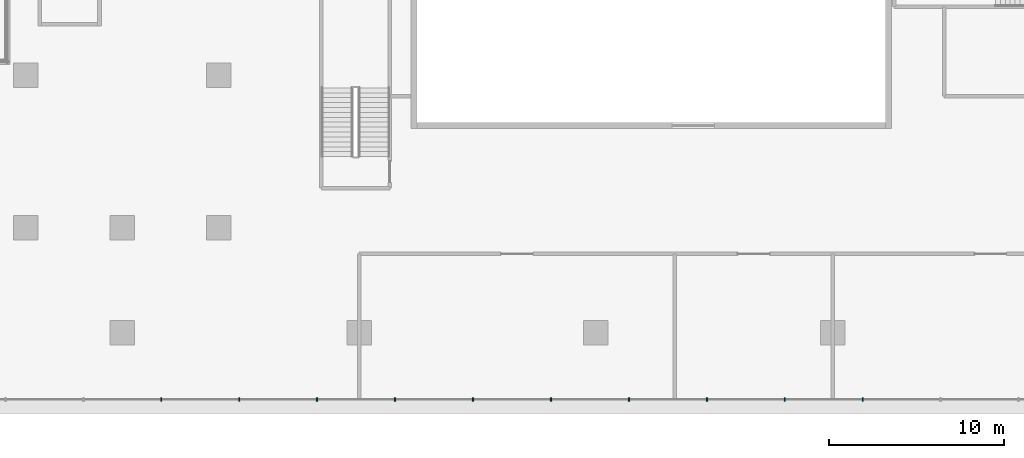
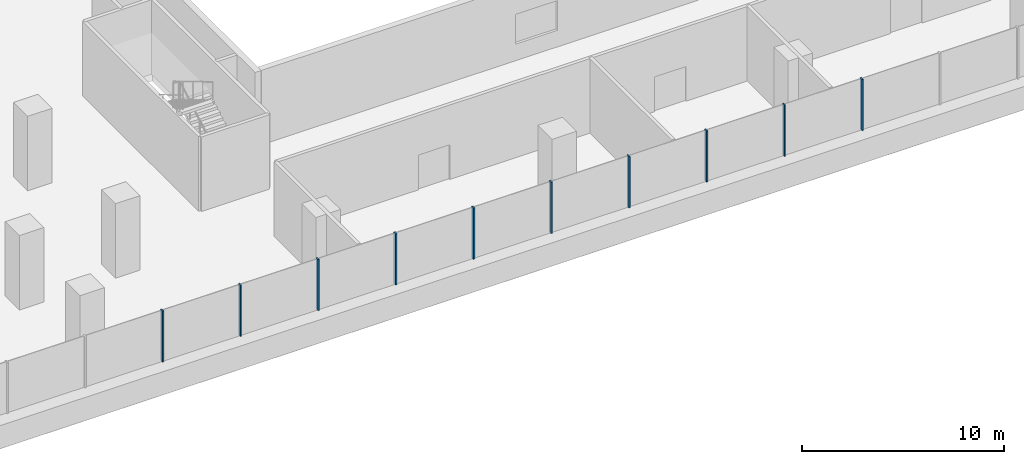
# One storey, part 8 of 44: 10 members, 1 element without a shape of its own.
"""IFC4 building model written with IfcOpenShell, lengths in metres."""

from ifc_helpers import new_model, si_unit, direction, frame, origin, origin_2d, place, context, subcontext, project, spatial, rectangle, extrude, material, layer, layer_set, material_profile, profile_set, type_object, element, aggregate, save


model = new_model("IFC4")

# Units and contexts
model_context = context("Model", 3, precision=1e-05, world=origin(), true_north=direction((0.0, 1.0)))
body_context = subcontext(model_context, "Body", "Model", "MODEL_VIEW")
ifc_project = project(units=[si_unit("LENGTHUNIT", "METRE"), si_unit("AREAUNIT", "SQUARE_METRE"), si_unit("VOLUMEUNIT", "CUBIC_METRE"), si_unit("PLANEANGLEUNIT", "RADIAN"), si_unit("MASSUNIT", "GRAM", prefix="KILO")], contexts=[model_context])

# Site, building, storey
site_placement = place(None, origin())
site = spatial("IfcSite", under=ifc_project, at=site_placement, CompositionType="ELEMENT")
building_placement = place(site_placement, origin())
building = spatial("IfcBuilding", under=site, at=building_placement, Name="Tamarind Cross Interchange Tower", CompositionType="ELEMENT")
storey_placement = place(building_placement, frame((0.0, 0.0, 15.0)))
storey = spatial("IfcBuildingStorey", under=building, at=storey_placement, Name="L02", CompositionType="ELEMENT", Elevation=15.0)

# Curtain wall, members
ifc_material = material(Name="Aluminium 6063-T6", Category="aluminium")
ifc_layer = layer(ifc_material, 0.199951171875)
ifc_layer_set = layer_set([ifc_layer], Name="Aluminium 6063-T6")
curtain_wall_type = type_object("IfcCurtainWallType", Name="Podium shopfront and station curtain wall", PredefinedType="NOTDEFINED", material=ifc_layer_set)
curtain_wall_placement = place(storey_placement, origin())
curtain_wall = element("IfcCurtainWall", 1, at=curtain_wall_placement, inside=storey, type_object=curtain_wall_type, Name="CWS-L02-06", PredefinedType="NOTDEFINED")
ifc_material_profile = material_profile(ifc_material, rectangle(XDim=0.080078125, YDim=0.199951171875, at=origin_2d()), Name="Mullion CW3")
ifc_profile_set = profile_set([ifc_material_profile], Name="Aluminium 6063-T6")
member_type = type_object("IfcMemberType", Name="Mullion CW3", PredefinedType="MULLION", material=ifc_profile_set)
member_1_placement = place(storey_placement, frame((2.2216796875, -57.800048828125, 1.39990234375), z_axis=(0.0, 0.0, 1.0), x_axis=(1.0, 0.0, 0.0)))
member_1 = element("IfcMember", 2, at=member_1_placement, type_object=member_type, Name="CWM-L02-06-14", PredefinedType="MULLION", context=body_context, shape_type="SweptSolid", body=[
    extrude(rectangle(XDim=0.080078125, YDim=0.199951171875, at=origin_2d()), origin(), (0.0, 0.0, 1.0), 3.10009765625),
])
member_2_placement = place(storey_placement, frame((6.6650390625, -57.800048828125, 1.39990234375), z_axis=(0.0, 0.0, 1.0), x_axis=(1.0, 0.0, 0.0)))
member_2 = element("IfcMember", 3, at=member_2_placement, type_object=member_type, Name="CWM-L02-06-15", PredefinedType="MULLION", context=body_context, shape_type="SweptSolid", body=[
    extrude(rectangle(XDim=0.080078125, YDim=0.199951171875, at=origin_2d()), origin(), (0.0, 0.0, 1.0), 3.10009765625),
])
member_3_placement = place(storey_placement, frame((11.108154296875, -57.800048828125, 1.39990234375), z_axis=(0.0, 0.0, 1.0), x_axis=(1.0, 0.0, 0.0)))
member_3 = element("IfcMember", 4, at=member_3_placement, type_object=member_type, Name="CWM-L02-06-16", PredefinedType="MULLION", context=body_context, shape_type="SweptSolid", body=[
    extrude(rectangle(XDim=0.080078125, YDim=0.199951171875, at=origin_2d()), origin(), (0.0, 0.0, 1.0), 3.10009765625),
])
member_4_placement = place(storey_placement, frame((15.551513671875, -57.800048828125, 1.39990234375), z_axis=(0.0, 0.0, 1.0), x_axis=(1.0, 0.0, 0.0)))
member_4 = element("IfcMember", 5, at=member_4_placement, type_object=member_type, Name="CWM-L02-06-17", PredefinedType="MULLION", context=body_context, shape_type="SweptSolid", body=[
    extrude(rectangle(XDim=0.080078125, YDim=0.199951171875, at=origin_2d()), origin(), (0.0, 0.0, 1.0), 3.10009765625),
])
member_5_placement = place(storey_placement, frame((19.994873046875, -57.800048828125, 1.39990234375), z_axis=(0.0, 0.0, 1.0), x_axis=(1.0, 0.0, 0.0)))
member_5 = element("IfcMember", 6, at=member_5_placement, type_object=member_type, Name="CWM-L02-06-18", PredefinedType="MULLION", context=body_context, shape_type="SweptSolid", body=[
    extrude(rectangle(XDim=0.080078125, YDim=0.199951171875, at=origin_2d()), origin(), (0.0, 0.0, 1.0), 3.10009765625),
])
member_6_placement = place(storey_placement, frame((24.43798828125, -57.800048828125, 1.39990234375), z_axis=(0.0, 0.0, 1.0), x_axis=(1.0, 0.0, 0.0)))
member_6 = element("IfcMember", 7, at=member_6_placement, type_object=member_type, Name="CWM-L02-06-19", PredefinedType="MULLION", context=body_context, shape_type="SweptSolid", body=[
    extrude(rectangle(XDim=0.080078125, YDim=0.199951171875, at=origin_2d()), origin(), (0.0, 0.0, 1.0), 3.10009765625),
])
member_7_placement = place(storey_placement, frame((28.88134765625, -57.800048828125, 1.39990234375), z_axis=(0.0, 0.0, 1.0), x_axis=(1.0, 0.0, 0.0)))
member_7 = element("IfcMember", 8, at=member_7_placement, type_object=member_type, Name="CWM-L02-06-20", PredefinedType="MULLION", context=body_context, shape_type="SweptSolid", body=[
    extrude(rectangle(XDim=0.080078125, YDim=0.199951171875, at=origin_2d()), origin(), (0.0, 0.0, 1.0), 3.10009765625),
])
member_8_placement = place(storey_placement, frame((33.32470703125, -57.800048828125, 1.39990234375), z_axis=(0.0, 0.0, 1.0), x_axis=(1.0, 0.0, 0.0)))
member_8 = element("IfcMember", 9, at=member_8_placement, type_object=member_type, Name="CWM-L02-06-21", PredefinedType="MULLION", context=body_context, shape_type="SweptSolid", body=[
    extrude(rectangle(XDim=0.080078125, YDim=0.199951171875, at=origin_2d()), origin(), (0.0, 0.0, 1.0), 3.10009765625),
])
member_9_placement = place(storey_placement, frame((37.767822265625, -57.800048828125, 1.39990234375), z_axis=(0.0, 0.0, 1.0), x_axis=(1.0, 0.0, 0.0)))
member_9 = element("IfcMember", 10, at=member_9_placement, type_object=member_type, Name="CWM-L02-06-22", PredefinedType="MULLION", context=body_context, shape_type="SweptSolid", body=[
    extrude(rectangle(XDim=0.080078125, YDim=0.199951171875, at=origin_2d()), origin(), (0.0, 0.0, 1.0), 3.10009765625),
])
member_10_placement = place(storey_placement, frame((42.211181640625, -57.800048828125, 1.39990234375), z_axis=(0.0, 0.0, 1.0), x_axis=(1.0, 0.0, 0.0)))
member_10 = element("IfcMember", 11, at=member_10_placement, type_object=member_type, Name="CWM-L02-06-23", PredefinedType="MULLION", context=body_context, shape_type="SweptSolid", body=[
    extrude(rectangle(XDim=0.080078125, YDim=0.199951171875, at=origin_2d()), origin(), (0.0, 0.0, 1.0), 3.10009765625),
])
aggregate(curtain_wall, [member_1, member_2, member_3, member_4, member_5, member_6, member_7, member_8, member_9, member_10])

save(model, "model.ifc")
